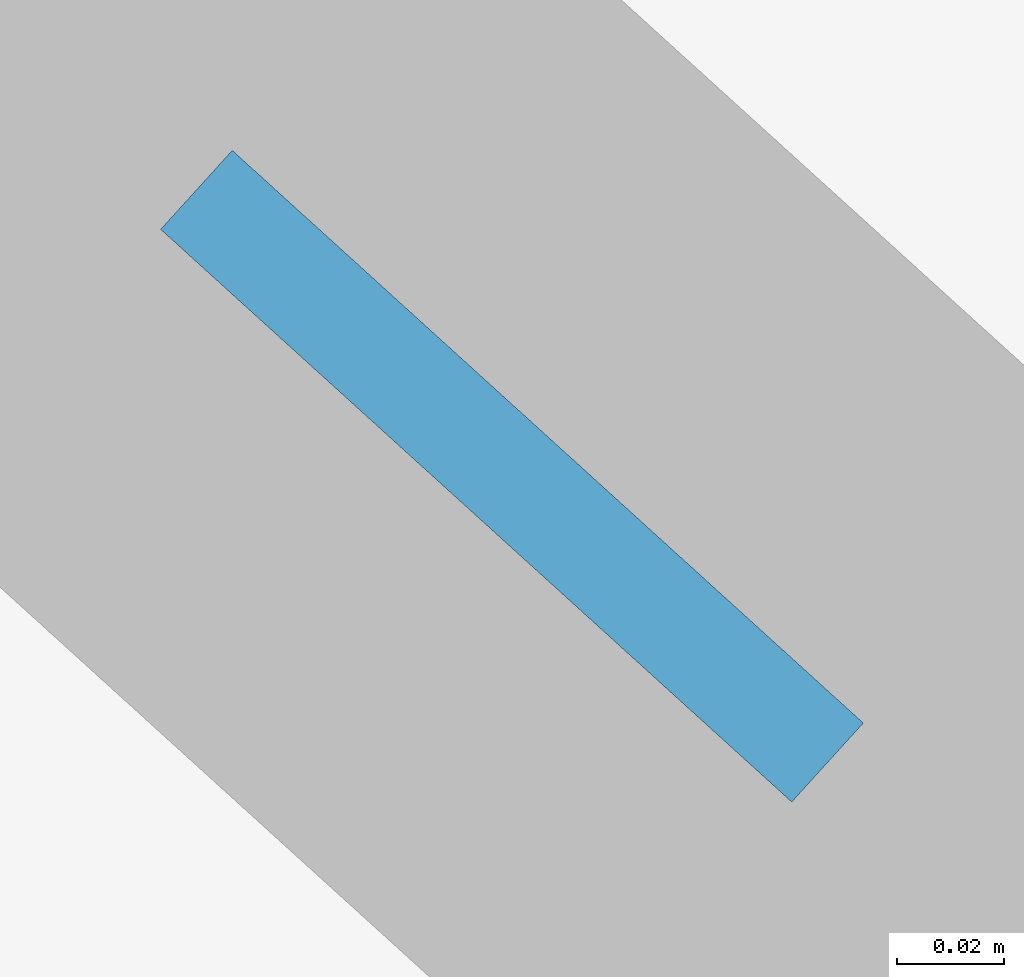
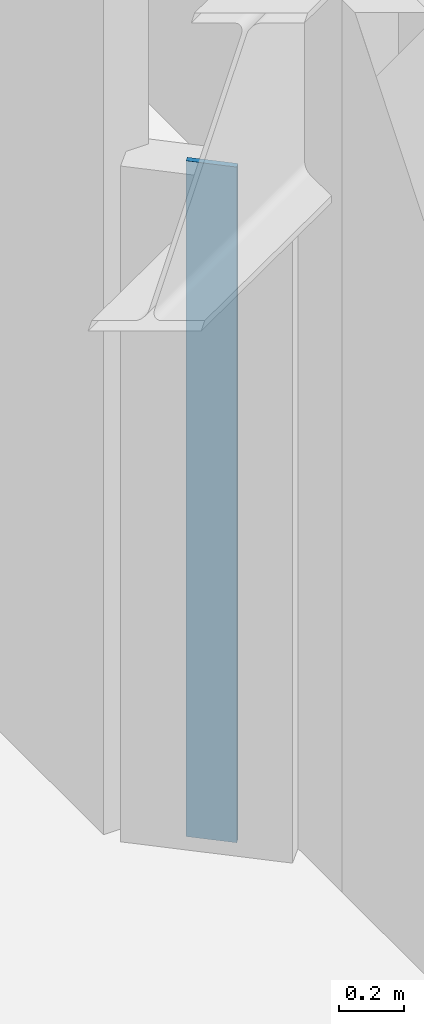
# One storey, part 2 of 8: 1 plate.
"""IFC4 building model written with IfcOpenShell, lengths in metres."""

import ifcopenshell
import ifcopenshell.guid

model = None  # the IFC model being written
_history = None  # IfcOwnerHistory: only IFC2X3 demands one
_inside = {}  # id of a spatial element -> (the spatial element, [elements in it])
_under = {}  # id of a project, library or spatial element -> (it, [spatial elements below it])
_declared = {}  # id of a project -> (the project, [libraries it declares])
_typed = {}  # id of a type object -> (the type object, [elements of that type])
_made_of = {}  # id of a material, layer set ... -> (it, [elements and type objects made of it])


def new_model(schema):
    """Start an empty IFC model of exactly this schema.

    Asked for "IFC4X3", IfcOpenShell would pick the latest addendum, in which some entities
    have other attributes; the version numbers below select the first issue.
    IFC2X3 requires an IfcOwnerHistory on every rooted entity: one is made here for all.
    """
    global model, _history
    if schema == "IFC4X3":
        model = ifcopenshell.file(schema_version=(4, 3, 0, 0))
    else:
        model = ifcopenshell.file(schema=schema)
    _inside.clear()
    _under.clear()
    _declared.clear()
    _typed.clear()
    _made_of.clear()
    _history = None
    if model.schema == "IFC2X3":
        org = make("IfcOrganization", Name="unknown")
        user = make(
            "IfcPersonAndOrganization",
            ThePerson=make("IfcPerson", FamilyName="unknown"),
            TheOrganization=org,
        )
        app = make(
            "IfcApplication",
            ApplicationDeveloper=org,
            Version="unknown",
            ApplicationFullName="unknown",
            ApplicationIdentifier="unknown",
        )
        _history = make(
            "IfcOwnerHistory",
            OwningUser=user,
            OwningApplication=app,
            ChangeAction="ADDED",
            CreationDate=0,
        )
    return model


def make(cls, **values):
    """One entity of the class cls with the attributes given. An attribute that is None is left unset."""
    return model.create_entity(
        cls, **{name: value for name, value in values.items() if value is not None}
    )


def rooted(cls, **values):
    """An entity with a GlobalId (a new one), such as an element, a storey or a relation."""
    return make(cls, GlobalId=ifcopenshell.guid.new(), OwnerHistory=_history, **values)


def si_unit(unit_type, name, prefix=None):
    """IfcSIUnit, for example si_unit("LENGTHUNIT", "METRE", prefix="MILLI")."""
    return make("IfcSIUnit", UnitType=unit_type, Prefix=prefix, Name=name)


def assignment(units):
    """IfcUnitAssignment: the units of a project."""
    return None if units is None else make("IfcUnitAssignment", Units=units)


def point(xyz):
    """IfcCartesianPoint."""
    return None if xyz is None else make("IfcCartesianPoint", Coordinates=xyz)


def direction(xyz):
    """IfcDirection."""
    return None if xyz is None else make("IfcDirection", DirectionRatios=xyz)


def frame(location, z_axis=None, x_axis=None):
    """IfcAxis2Placement3D, a coordinate frame: its origin and axes. An axis left out is left unset."""
    return make(
        "IfcAxis2Placement3D",
        Location=point(location),
        Axis=direction(z_axis),
        RefDirection=direction(x_axis),
    )


def frame_2d(location, x_axis=None):
    """IfcAxis2Placement2D, a coordinate frame in the plane: its origin and x axis."""
    return make(
        "IfcAxis2Placement2D", Location=point(location), RefDirection=direction(x_axis)
    )


def origin():
    """The frame at (0, 0, 0) with its axes left unset."""
    return frame((0.0, 0.0, 0.0))


def origin_2d():
    """The frame at (0, 0) in the plane with its x axis left unset."""
    return frame_2d((0.0, 0.0))


def place(relative_to, where):
    """IfcLocalPlacement: puts the frame where relative to a parent placement (None: the world)."""
    return make(
        "IfcLocalPlacement", PlacementRelTo=relative_to, RelativePlacement=where
    )


def context(
    kind, dimensions, precision=None, world=None, true_north=None, identifier=None
):
    """IfcGeometricRepresentationContext, for example the 3D "Model" context."""
    return make(
        "IfcGeometricRepresentationContext",
        ContextIdentifier=identifier,
        ContextType=kind,
        CoordinateSpaceDimension=dimensions,
        Precision=precision,
        WorldCoordinateSystem=world,
        TrueNorth=true_north,
    )


def subcontext(parent, identifier, kind, view, scale=None):
    """IfcGeometricRepresentationSubContext, for example "Body" below "Model"."""
    return make(
        "IfcGeometricRepresentationSubContext",
        ContextIdentifier=identifier,
        ContextType=kind,
        ParentContext=parent,
        TargetScale=scale,
        TargetView=view,
    )


def project(units=None, contexts=None):
    """IfcProject with its units and contexts."""
    return rooted(
        "IfcProject",
        Name="project",
        RepresentationContexts=contexts,
        UnitsInContext=assignment(units),
    )


def spatial(cls, under=None, at=None, **own):
    """A site, building, storey or space (cls), placed at a placement, below another one or the project."""
    s = rooted(cls, ObjectPlacement=at, **own)
    if under is not None:
        _under.setdefault(under.id(), (under, []))[1].append(s)
    return s


def profile(cls, at=None, kind="AREA", **sizes):
    """A parametric profile (cls). Its sizes go by their IFC names, for example OverallWidth=200.0."""
    return make(cls, ProfileType=kind, Position=at, **sizes)


def rectangle(**sizes):
    """IfcRectangleProfileDef."""
    return profile("IfcRectangleProfileDef", **sizes)


def extrude(swept, where, along, depth):
    """IfcExtrudedAreaSolid: the profile swept, set in the frame where, extruded along a direction by depth."""
    return make(
        "IfcExtrudedAreaSolid",
        SweptArea=swept,
        Position=where,
        ExtrudedDirection=direction(along),
        Depth=depth,
    )


def shape(context_of_items, identifier, shape_type, items):
    """IfcShapeRepresentation: the items that make up one representation, for example the "Body"."""
    return make(
        "IfcShapeRepresentation",
        ContextOfItems=context_of_items,
        RepresentationIdentifier=identifier,
        RepresentationType=shape_type,
        Items=items,
    )


def material(Name=None, Category=None):
    """IfcMaterial."""
    return make("IfcMaterial", Name=Name, Category=Category)


def layer(
    of_material, thickness, ventilated=None, Name=None, Category=None, Priority=None
):
    """IfcMaterialLayer: one layer of a wall or slab, of a material (None: an air gap)."""
    return make(
        "IfcMaterialLayer",
        Material=of_material,
        LayerThickness=thickness,
        IsVentilated=ventilated,
        Name=Name,
        Category=Category,
        Priority=Priority,
    )


def layer_set(layers, Name=None):
    """IfcMaterialLayerSet."""
    return make("IfcMaterialLayerSet", MaterialLayers=layers, LayerSetName=Name)


def made_of(thing, what):
    """Note that an element or type object is made of a material, layer set ...; save() writes the relation."""
    if what is not None:
        _made_of.setdefault(what.id(), (what, []))[1].append(thing)
    return thing


def type_object(cls, material=None, **own):
    """A type object (cls), such as IfcWallType, which elements share."""
    return made_of(rooted(cls, **own), material)


def element(
    cls,
    number,
    at=None,
    inside=None,
    cuts=None,
    type_object=None,
    material=None,
    context=None,
    identifier="Body",
    shape_type=None,
    held_by="IfcProductDefinitionShape",
    body=None,
    shapes=None,
    **own,
):
    """One element of the class cls, such as IfcWall. Its Tag is "e" and its number.

    at: its placement. inside: the storey or other place that contains it. cuts: it is an
    opening in that element (IfcRelVoidsElement). A single representation is given by context,
    identifier, shape_type and body (its items); several are given by shapes. held_by: the class
    of the entity that holds the representations. save() writes the other relations.
    """
    e = rooted(cls, Tag="e%d" % number, ObjectPlacement=at, **own)
    if body is not None:
        shapes = [shape(context, identifier, shape_type, body)]
    if shapes is not None:
        e.Representation = make(held_by, Representations=shapes)
    if inside is not None:
        _inside.setdefault(inside.id(), (inside, []))[1].append(e)
    if cuts is not None:
        rooted(
            "IfcRelVoidsElement", RelatingBuildingElement=cuts, RelatedOpeningElement=e
        )
    if type_object is not None:
        _typed.setdefault(type_object.id(), (type_object, []))[1].append(e)
    return made_of(e, material)


def aggregate(whole, parts):
    """IfcRelAggregates: a whole, such as a stair, and the parts it consists of."""
    return rooted("IfcRelAggregates", RelatingObject=whole, RelatedObjects=parts)


def save(model, path):
    """Write the relations noted so far, then the file.

    IfcRelAggregates (storeys below a building ...), IfcRelContainedInSpatialStructure (elements
    in a storey), IfcRelDefinesByType, IfcRelAssociatesMaterial and IfcRelDeclares: one each for
    every whole, place, type object, material and project.
    """
    for whole, parts in _under.values():
        aggregate(whole, parts)
    for where, things in _inside.values():
        rooted(
            "IfcRelContainedInSpatialStructure",
            RelatedElements=things,
            RelatingStructure=where,
        )
    for kind, things in _typed.values():
        rooted("IfcRelDefinesByType", RelatedObjects=things, RelatingType=kind)
    for what, things in _made_of.values():
        rooted("IfcRelAssociatesMaterial", RelatedObjects=things, RelatingMaterial=what)
    for by, libraries in _declared.values():
        rooted("IfcRelDeclares", RelatingContext=by, RelatedDefinitions=libraries)
    model.write(path)


model = new_model("IFC4")

# Units and contexts
model_context = context("Model", 3, precision=1e-05, world=origin(), true_north=direction((0.0, 1.0)))
body_context = subcontext(model_context, "Body", "Model", "MODEL_VIEW")
ifc_project = project(units=[si_unit("LENGTHUNIT", "METRE"), si_unit("AREAUNIT", "SQUARE_METRE"), si_unit("VOLUMEUNIT", "CUBIC_METRE"), si_unit("PLANEANGLEUNIT", "RADIAN"), si_unit("MASSUNIT", "GRAM", prefix="KILO")], contexts=[model_context])

# Site, building, storey
site_placement = place(None, origin())
site = spatial("IfcSite", under=ifc_project, at=site_placement, CompositionType="ELEMENT")
building_placement = place(site_placement, origin())
building = spatial("IfcBuilding", under=site, at=building_placement, Name="Miruveldt Soraemaru", CompositionType="ELEMENT")
storey_placement = place(building_placement, frame((0.0, 0.0, 212.39990234375)))
storey = spatial("IfcBuildingStorey", under=building, at=storey_placement, Name="L58", CompositionType="ELEMENT", Elevation=212.39990234375)

# Plate
ifc_material = material(Name="Anodised aluminium EN AW-6063 T6", Category="aluminium")
ifc_layer = layer(ifc_material, 0.02001953125, Name="Anodised aluminium EN AW-6063 T6", Category="aluminium")
ifc_layer_set = layer_set([ifc_layer], Name="Anodised aluminium EN AW-6063 T6")
plate_type = type_object("IfcPlateType", Name="PLT-PART-TRIM", PredefinedType="SHEET", material=ifc_layer_set)
plate_placement = place(storey_placement, frame((35.14990234375, 52.87158203125, 0.0), z_axis=(0.0, 0.0, 1.0), x_axis=(0.74057007644, -0.671979137981, 0.0)))
element("IfcPlate", 1, at=plate_placement, inside=storey, type_object=plate_type, Name="L58 Partition Step Corner Trim Plate 001", PredefinedType="SHEET", context=body_context, shape_type="SweptSolid", body=[
    extrude(rectangle(XDim=0.159912109375, YDim=0.02001953125, at=origin_2d()), origin(), (0.0, 0.0, 1.0), 2.532958984375),
])

save(model, "model.ifc")
